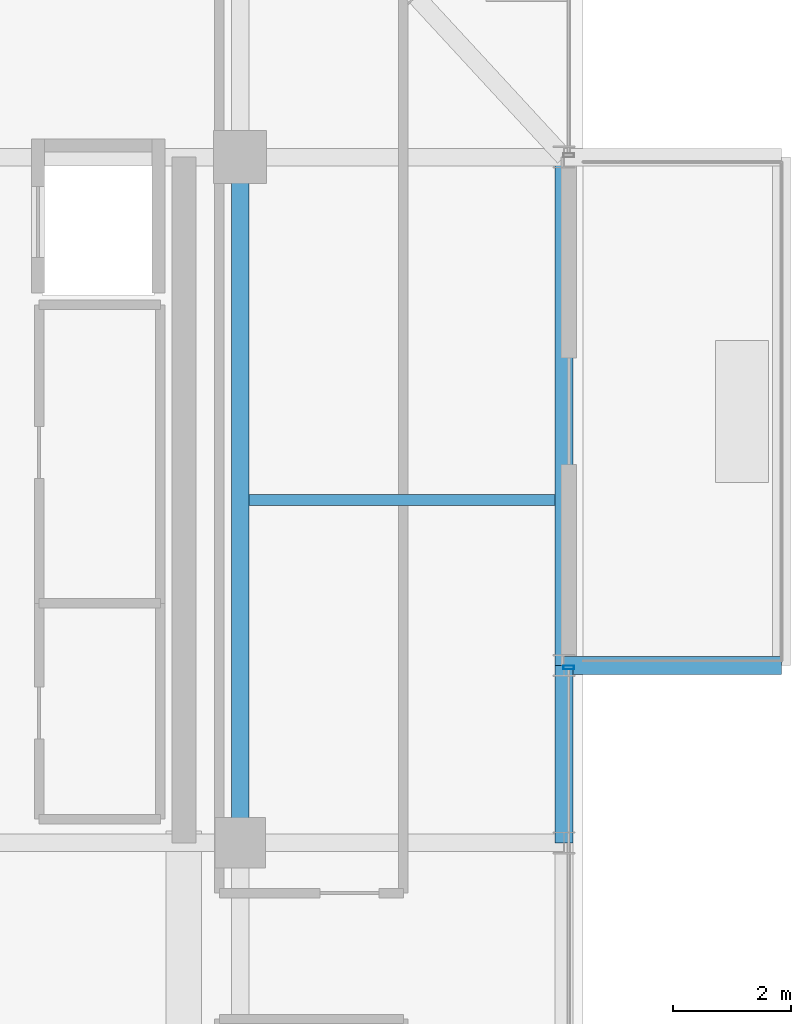
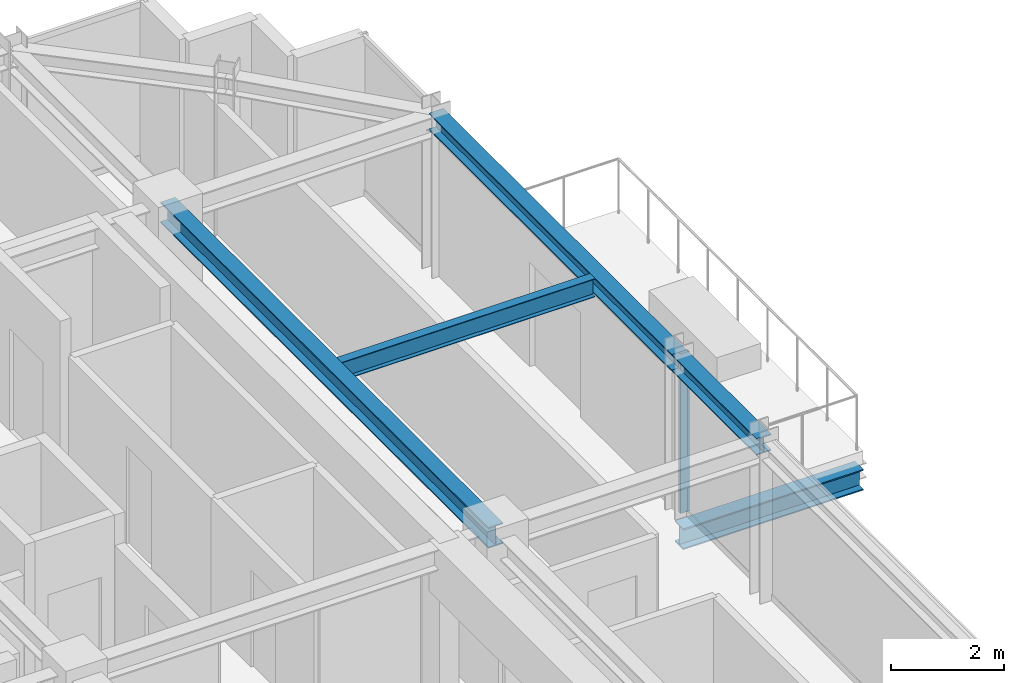
# One storey, part 22 of 33: 5 beams, 1 member, 1 element without a shape of its own.
"""IFC4 building model written with IfcOpenShell, lengths in metres."""

from ifc_helpers import new_model, si_unit, direction, frame, origin, origin_2d, place, context, subcontext, project, spatial, hollow_rectangle, i_section, extrude, source, transform, mapped, material, material_profile, profile_set, type_object, element, aggregate, save


model = new_model("IFC4")

# Units and contexts
model_context = context("Model", 3, precision=1e-05, world=origin(), true_north=direction((0.0, 1.0)))
body_context = subcontext(model_context, "Body", "Model", "MODEL_VIEW")
ifc_project = project(units=[si_unit("LENGTHUNIT", "METRE"), si_unit("AREAUNIT", "SQUARE_METRE"), si_unit("VOLUMEUNIT", "CUBIC_METRE"), si_unit("PLANEANGLEUNIT", "RADIAN"), si_unit("MASSUNIT", "GRAM", prefix="KILO")], contexts=[model_context])

# Site, building, storey
site_placement = place(None, origin())
site = spatial("IfcSite", under=ifc_project, at=site_placement, CompositionType="ELEMENT")
building_placement = place(site_placement, origin())
building = spatial("IfcBuilding", under=site, at=building_placement, Name="Nahalor Promenade Grand Hotel", CompositionType="ELEMENT")
storey_placement = place(building_placement, frame((0.0, 0.0, 270.050048828125)))
storey = spatial("IfcBuildingStorey", under=building, at=storey_placement, Name="L69", CompositionType="ELEMENT", Elevation=270.050048828125)

# Beams
ifc_material_1 = material(Name="Steel S355JR", Category="steel")
ifc_material_profile_1 = material_profile(ifc_material_1, i_section(OverallWidth=0.3, OverallDepth=0.45, WebThickness=0.014, FlangeThickness=0.026, at=origin_2d()), Name="HEB 450")
ifc_profile_set_1 = profile_set([ifc_material_profile_1], Name="Steel S355JR")
beam_type_1 = type_object("IfcBeamType", Name="Beam-Outrigger-HEB450", PredefinedType="BEAM", material=ifc_profile_set_1)
shared_shape_1 = source(origin(), body_context, "Body", "SweptSolid", [
    extrude(i_section(OverallWidth=0.3, OverallDepth=0.45, WebThickness=0.014, FlangeThickness=0.026, at=origin_2d()), origin(), (0.0, 0.0, 1.0), 3.679931640625),
])
beam_1_placement = place(storey_placement, frame((22.47998046875, 8.39990234375, -0.505126953125), z_axis=(1.0, 0.0, 0.0), x_axis=(0.0, 1.0, 0.0)))
element("IfcBeam", 1, at=beam_1_placement, inside=storey, type_object=beam_type_1, Name="BM-L69-BC-02-1", PredefinedType="BEAM", context=body_context, shape_type="MappedRepresentation", body=[
    mapped(shared_shape_1, transform((0.0, 0.0, 0.0), scale=1.0)),
])
ifc_material_profile_2 = material_profile(ifc_material_1, i_section(OverallWidth=0.3, OverallDepth=0.45, WebThickness=0.014, FlangeThickness=0.026, at=origin_2d()), Name="HEB 450")
ifc_profile_set_2 = profile_set([ifc_material_profile_2], Name="Steel S355JR")
beam_type_2 = type_object("IfcBeamType", Name="Beam-Girder-HEB450", PredefinedType="BEAM", material=ifc_profile_set_2)
shared_shape_2 = source(origin(), body_context, "Body", "SweptSolid", [
    extrude(i_section(OverallWidth=0.3, OverallDepth=0.45, WebThickness=0.014, FlangeThickness=0.026, at=origin_2d()), origin(), (0.0, 0.0, 1.0), 11.60009765625),
])
beam_2_placement = place(storey_placement, frame((17.0, 5.39990234375, 3.224853515625), z_axis=(0.0, 1.0, 0.0), x_axis=(-1.0, 0.0, 0.0)))
element("IfcBeam", 2, at=beam_2_placement, inside=storey, type_object=beam_type_2, Name="BM-L69-GY-5-3", PredefinedType="BEAM", context=body_context, shape_type="MappedRepresentation", body=[
    mapped(shared_shape_2, transform((0.0, 0.0, 0.0), scale=1.0)),
])
ifc_material_profile_3 = material_profile(ifc_material_1, i_section(OverallWidth=0.18, OverallDepth=0.4, WebThickness=0.0086, FlangeThickness=0.0135, at=origin_2d()), Name="IPE 400")
ifc_profile_set_3 = profile_set([ifc_material_profile_3], Name="Steel S355JR")
beam_type_3 = type_object("IfcBeamType", Name="Beam-Joist-IPE400", PredefinedType="JOIST", material=ifc_profile_set_3)
shared_shape_3 = source(origin(), body_context, "Body", "SweptSolid", [
    extrude(i_section(OverallWidth=0.18, OverallDepth=0.4, WebThickness=0.0086, FlangeThickness=0.0135, at=origin_2d()), origin(), (0.0, 0.0, 1.0), 5.18017578125),
])
beam_3_placement = place(storey_placement, frame((17.14990234375, 11.199951171875, 3.25), z_axis=(1.0, 0.0, 0.0), x_axis=(0.0, 1.0, 0.0)))
element("IfcBeam", 3, at=beam_3_placement, inside=storey, type_object=beam_type_3, Name="BM-L69-JSE-1-2", PredefinedType="JOIST", context=body_context, shape_type="MappedRepresentation", body=[
    mapped(shared_shape_3, transform((0.0, 0.0, 0.0), scale=1.0)),
])
ifc_material_profile_4 = material_profile(ifc_material_1, i_section(OverallWidth=0.3, OverallDepth=0.36, WebThickness=0.0125, FlangeThickness=0.0225, at=origin_2d()), Name="HEB 360")
ifc_profile_set_4 = profile_set([ifc_material_profile_4], Name="Steel S355JR")
beam_type_4 = type_object("IfcBeamType", Name="Beam-Spandrel-HEB360", PredefinedType="SPANDREL", material=ifc_profile_set_4)
shared_shape_4 = source(origin(), body_context, "Body", "SweptSolid", [
    extrude(i_section(OverallWidth=0.3, OverallDepth=0.36, WebThickness=0.0125, FlangeThickness=0.0225, at=origin_2d()), origin(), (0.0, 0.0, 1.0), 8.60009765625),
])
beam_4_placement = place(storey_placement, frame((22.47998046875, 8.39990234375, 3.27001953125), z_axis=(0.0, 1.0, 0.0), x_axis=(-1.0, 0.0, 0.0)))
element("IfcBeam", 4, at=beam_4_placement, inside=storey, type_object=beam_type_4, Name="BM-L69-SP-E-4", PredefinedType="SPANDREL", context=body_context, shape_type="MappedRepresentation", body=[
    mapped(shared_shape_4, transform((0.0, 0.0, 0.0), scale=1.0)),
])
shared_shape_5 = source(origin(), body_context, "Body", "SweptSolid", [
    extrude(i_section(OverallWidth=0.3, OverallDepth=0.36, WebThickness=0.0125, FlangeThickness=0.0225, at=origin_2d()), origin(), (0.0, 0.0, 1.0), 3.0),
])
beam_5_placement = place(storey_placement, frame((22.47998046875, 5.39990234375, 3.27001953125), z_axis=(0.0, 1.0, 0.0), x_axis=(-1.0, 0.0, 0.0)))
element("IfcBeam", 5, at=beam_5_placement, inside=storey, type_object=beam_type_4, Name="BM-L69-SP-E-3", PredefinedType="SPANDREL", context=body_context, shape_type="MappedRepresentation", body=[
    mapped(shared_shape_5, transform((0.0, 0.0, 0.0), scale=1.0)),
])

# Curtain wall, member
ifc_material_2 = material(Name="Anodised Bronze Aluminium EN AW-6063 T6", Category="aluminium")
curtain_wall_type = type_object("IfcCurtainWallType", Name="CW2 Typical Hotel Flush Bronze Unitised Curtain Wall", PredefinedType="USERDEFINED", material=ifc_material_2)
curtain_wall_placement = place(storey_placement, origin())
curtain_wall = element("IfcCurtainWall", 6, at=curtain_wall_placement, inside=storey, type_object=curtain_wall_type, Name="L69 Curtain Wall CW-L69-E-1", ObjectType="UNITISED_CURTAIN_WALL", PredefinedType="USERDEFINED")
ifc_material_profile_5 = material_profile(ifc_material_2, hollow_rectangle(XDim=0.065, YDim=0.18, WallThickness=0.004, at=origin_2d()), Name="CWM 65x180x4")
ifc_profile_set_5 = profile_set([ifc_material_profile_5], Name="Anodised Bronze Aluminium EN AW-6063 T6")
member_type = type_object("IfcMemberType", Name="CWM2 Typical Bronze Mullion 65x180", PredefinedType="MULLION", material=ifc_profile_set_5)
shared_shape_6 = source(origin(), body_context, "Body", "SweptSolid", [
    extrude(hollow_rectangle(XDim=0.065, YDim=0.18, WallThickness=0.004, at=origin_2d()), origin(), (0.0, 0.0, 1.0), 3.449951171875),
])
member_placement = place(storey_placement, frame((22.56005859375, 8.367431640625, 0.0), z_axis=(0.0, 0.0, 1.0), x_axis=(0.0, 1.0, 0.0)))
member = element("IfcMember", 7, at=member_placement, type_object=member_type, Name="CW-L69-E-1 Mullion 2", PredefinedType="MULLION", context=body_context, shape_type="MappedRepresentation", body=[
    mapped(shared_shape_6, transform((0.0, 0.0, 0.0), scale=1.0)),
])
aggregate(curtain_wall, [member])

save(model, "model.ifc")
